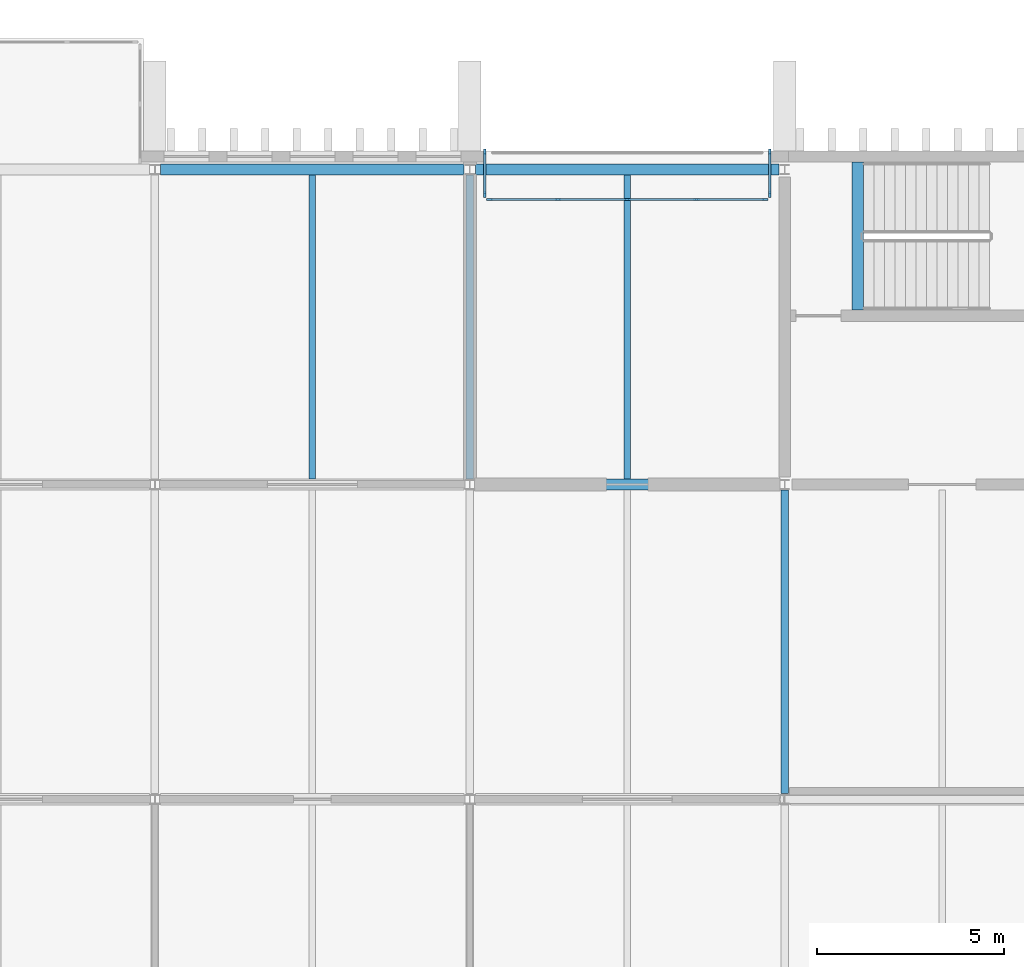
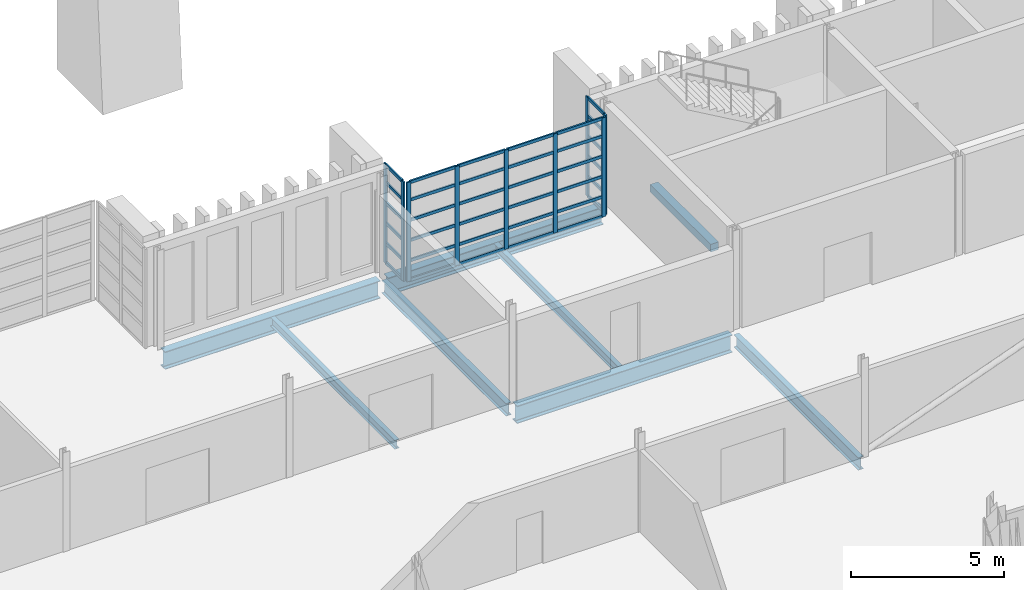
# One storey, part 27 of 88: 45 members, 8 beams, 3 elements without a shape of their own.
"""IFC4 building model written with IfcOpenShell, lengths in metres."""

from ifc_helpers import new_model, si_unit, direction, frame, origin, origin_2d, place, context, subcontext, project, spatial, rectangle, i_section, extrude, material, layer, layer_set, material_profile, profile_set, type_object, element, aggregate, save


model = new_model("IFC4")

# Units and contexts
model_context = context("Model", 3, precision=1e-05, world=origin(), true_north=direction((0.0, 1.0)))
body_context = subcontext(model_context, "Body", "Model", "MODEL_VIEW")
ifc_project = project(units=[si_unit("LENGTHUNIT", "METRE"), si_unit("AREAUNIT", "SQUARE_METRE"), si_unit("VOLUMEUNIT", "CUBIC_METRE"), si_unit("PLANEANGLEUNIT", "RADIAN"), si_unit("MASSUNIT", "GRAM", prefix="KILO")], contexts=[model_context])

# Site, building, storey
site_placement = place(None, origin())
site = spatial("IfcSite", under=ifc_project, at=site_placement, CompositionType="ELEMENT")
building_placement = place(site_placement, origin())
building = spatial("IfcBuilding", under=site, at=building_placement, Name="Cresset Court Congress Hotel", CompositionType="ELEMENT")
storey_placement = place(building_placement, frame((0.0, 0.0, 14.39990234375)))
storey = spatial("IfcBuildingStorey", under=building, at=storey_placement, Name="L03", CompositionType="ELEMENT", Elevation=14.39990234375)

# Curtain wall, members
ifc_material_1 = material(Name="Aluminium frame with double glazing", Category="aluminium")
ifc_layer = layer(ifc_material_1, 0.199951171875)
ifc_layer_set = layer_set([ifc_layer], Name="Glazed box curtain wall 1680 module")
curtain_wall_type = type_object("IfcCurtainWallType", Name="Glazed box curtain wall 1680 module", PredefinedType="NOTDEFINED", material=ifc_layer_set)
curtain_wall_1_placement = place(storey_placement, origin())
curtain_wall_1 = element("IfcCurtainWall", 1, at=curtain_wall_1_placement, inside=storey, type_object=curtain_wall_type, Name="Glazed box N0331 front", PredefinedType="NOTDEFINED")
ifc_material_2 = material(Name="Aluminium", Category="aluminium")
ifc_material_profile_1 = material_profile(ifc_material_2, rectangle(XDim=0.06005859375, YDim=0.159912109375, at=origin_2d()), Name="Box mullion 60x160")
ifc_profile_set_1 = profile_set([ifc_material_profile_1], Name="Aluminium")
member_type_1 = type_object("IfcMemberType", Name="Box mullion 60x160", PredefinedType="MULLION", material=ifc_profile_set_1)
member_1_placement = place(storey_placement, frame((92.929931640625, 24.39990234375, 0.0), z_axis=(0.0, 0.0, 1.0), x_axis=(0.0, 1.0, 0.0)))
member_1 = element("IfcMember", 2, at=member_1_placement, type_object=member_type_1, Name="B-X1 mullion 1", PredefinedType="MULLION", context=body_context, shape_type="SweptSolid", body=[
    extrude(rectangle(XDim=0.06005859375, YDim=0.159912109375, at=origin_2d()), origin(), (0.0, 0.0, 1.0), 3.9501953125),
])
member_2_placement = place(storey_placement, frame((94.75, 24.39990234375, 0.0), z_axis=(0.0, 0.0, 1.0), x_axis=(0.0, 1.0, 0.0)))
member_2 = element("IfcMember", 3, at=member_2_placement, type_object=member_type_1, Name="B-X1 mullion 2", PredefinedType="MULLION", context=body_context, shape_type="SweptSolid", body=[
    extrude(rectangle(XDim=0.06005859375, YDim=0.159912109375, at=origin_2d()), origin(), (0.0, 0.0, 1.0), 3.9501953125),
])
member_3_placement = place(storey_placement, frame((96.60009765625, 24.39990234375, 0.0), z_axis=(0.0, 0.0, 1.0), x_axis=(0.0, 1.0, 0.0)))
member_3 = element("IfcMember", 4, at=member_3_placement, type_object=member_type_1, Name="B-X1 mullion 3", PredefinedType="MULLION", context=body_context, shape_type="SweptSolid", body=[
    extrude(rectangle(XDim=0.06005859375, YDim=0.159912109375, at=origin_2d()), origin(), (0.0, 0.0, 1.0), 3.9501953125),
])
member_4_placement = place(storey_placement, frame((98.449951171875, 24.39990234375, 0.0), z_axis=(0.0, 0.0, 1.0), x_axis=(0.0, 1.0, 0.0)))
member_4 = element("IfcMember", 5, at=member_4_placement, type_object=member_type_1, Name="B-X1 mullion 4", PredefinedType="MULLION", context=body_context, shape_type="SweptSolid", body=[
    extrude(rectangle(XDim=0.06005859375, YDim=0.159912109375, at=origin_2d()), origin(), (0.0, 0.0, 1.0), 3.9501953125),
])
member_5_placement = place(storey_placement, frame((100.27001953125, 24.39990234375, 0.0), z_axis=(0.0, 0.0, 1.0), x_axis=(0.0, 1.0, 0.0)))
member_5 = element("IfcMember", 6, at=member_5_placement, type_object=member_type_1, Name="B-X1 mullion 5", PredefinedType="MULLION", context=body_context, shape_type="SweptSolid", body=[
    extrude(rectangle(XDim=0.06005859375, YDim=0.159912109375, at=origin_2d()), origin(), (0.0, 0.0, 1.0), 3.9501953125),
])

curtain_wall_2_placement = place(storey_placement, origin())
curtain_wall_2 = element("IfcCurtainWall", 7, at=curtain_wall_2_placement, inside=storey, type_object=curtain_wall_type, Name="Glazed box N0331 side", PredefinedType="NOTDEFINED")
member_6_placement = place(storey_placement, frame((92.800048828125, 25.669921875, 0.0), z_axis=(0.0, 0.0, 1.0), x_axis=(1.0, 0.0, 0.0)))
member_6 = element("IfcMember", 8, at=member_6_placement, type_object=member_type_1, Name="B-X1 mullion 1", PredefinedType="MULLION", context=body_context, shape_type="SweptSolid", body=[
    extrude(rectangle(XDim=0.06005859375, YDim=0.159912109375, at=origin_2d()), origin(), (0.0, 0.0, 1.0), 3.9501953125),
])
member_7_placement = place(storey_placement, frame((92.800048828125, 24.530029296875, 0.0), z_axis=(0.0, 0.0, 1.0), x_axis=(1.0, 0.0, 0.0)))
member_7 = element("IfcMember", 9, at=member_7_placement, type_object=member_type_1, Name="B-X1 mullion 2", PredefinedType="MULLION", context=body_context, shape_type="SweptSolid", body=[
    extrude(rectangle(XDim=0.06005859375, YDim=0.159912109375, at=origin_2d()), origin(), (0.0, 0.0, 1.0), 3.9501953125),
])

curtain_wall_3_placement = place(storey_placement, origin())
curtain_wall_3 = element("IfcCurtainWall", 10, at=curtain_wall_3_placement, inside=storey, type_object=curtain_wall_type, Name="Glazed box N0331 side", PredefinedType="NOTDEFINED")
member_8_placement = place(storey_placement, frame((100.39990234375, 25.669921875, 0.0), z_axis=(0.0, 0.0, 1.0), x_axis=(1.0, 0.0, 0.0)))
member_8 = element("IfcMember", 11, at=member_8_placement, type_object=member_type_1, Name="B-X1 mullion 1", PredefinedType="MULLION", context=body_context, shape_type="SweptSolid", body=[
    extrude(rectangle(XDim=0.06005859375, YDim=0.159912109375, at=origin_2d()), origin(), (0.0, 0.0, 1.0), 3.9501953125),
])
member_9_placement = place(storey_placement, frame((100.39990234375, 24.530029296875, 0.0), z_axis=(0.0, 0.0, 1.0), x_axis=(1.0, 0.0, 0.0)))
member_9 = element("IfcMember", 12, at=member_9_placement, type_object=member_type_1, Name="B-X1 mullion 2", PredefinedType="MULLION", context=body_context, shape_type="SweptSolid", body=[
    extrude(rectangle(XDim=0.06005859375, YDim=0.159912109375, at=origin_2d()), origin(), (0.0, 0.0, 1.0), 3.9501953125),
])

# Member
ifc_material_3 = material(Name="Aluminium", Category="aluminium")
ifc_material_profile_2 = material_profile(ifc_material_3, rectangle(XDim=0.06005859375, YDim=0.1201171875, at=origin_2d()), Name="Box transom 60x120")
ifc_profile_set_2 = profile_set([ifc_material_profile_2], Name="Aluminium")
member_type_2 = type_object("IfcMemberType", Name="Box transom 60x120", PredefinedType="USERDEFINED", material=ifc_profile_set_2)
member_10_placement = place(storey_placement, frame((92.9599609375, 24.39990234375, 0.030029296875), z_axis=(1.0, 0.0, 0.0), x_axis=(0.0, 1.0, 0.0)))
member_10 = element("IfcMember", 13, at=member_10_placement, type_object=member_type_2, Name="B-X1 transom 1.1", ObjectType="TRANSOM", PredefinedType="USERDEFINED", context=body_context, shape_type="SweptSolid", body=[
    extrude(rectangle(XDim=0.06005859375, YDim=0.1201171875, at=origin_2d()), origin(), (0.0, 0.0, 1.0), 1.760009765625),
])

member_11_placement = place(storey_placement, frame((92.9599609375, 24.39990234375, 0.80517578125), z_axis=(1.0, 0.0, 0.0), x_axis=(0.0, 1.0, 0.0)))
member_11 = element("IfcMember", 14, at=member_11_placement, type_object=member_type_2, Name="B-X1 transom 1.2", ObjectType="TRANSOM", PredefinedType="USERDEFINED", context=body_context, shape_type="SweptSolid", body=[
    extrude(rectangle(XDim=0.06005859375, YDim=0.1201171875, at=origin_2d()), origin(), (0.0, 0.0, 1.0), 1.760009765625),
])

member_12_placement = place(storey_placement, frame((92.9599609375, 24.39990234375, 1.610107421875), z_axis=(1.0, 0.0, 0.0), x_axis=(0.0, 1.0, 0.0)))
member_12 = element("IfcMember", 15, at=member_12_placement, type_object=member_type_2, Name="B-X1 transom 1.3", ObjectType="TRANSOM", PredefinedType="USERDEFINED", context=body_context, shape_type="SweptSolid", body=[
    extrude(rectangle(XDim=0.06005859375, YDim=0.1201171875, at=origin_2d()), origin(), (0.0, 0.0, 1.0), 1.760009765625),
])

member_13_placement = place(storey_placement, frame((92.9599609375, 24.39990234375, 2.4150390625), z_axis=(1.0, 0.0, 0.0), x_axis=(0.0, 1.0, 0.0)))
member_13 = element("IfcMember", 16, at=member_13_placement, type_object=member_type_2, Name="B-X1 transom 1.4", ObjectType="TRANSOM", PredefinedType="USERDEFINED", context=body_context, shape_type="SweptSolid", body=[
    extrude(rectangle(XDim=0.06005859375, YDim=0.1201171875, at=origin_2d()), origin(), (0.0, 0.0, 1.0), 1.760009765625),
])

member_14_placement = place(storey_placement, frame((92.9599609375, 24.39990234375, 3.22021484375), z_axis=(1.0, 0.0, 0.0), x_axis=(0.0, 1.0, 0.0)))
member_14 = element("IfcMember", 17, at=member_14_placement, type_object=member_type_2, Name="B-X1 transom 1.5", ObjectType="TRANSOM", PredefinedType="USERDEFINED", context=body_context, shape_type="SweptSolid", body=[
    extrude(rectangle(XDim=0.06005859375, YDim=0.1201171875, at=origin_2d()), origin(), (0.0, 0.0, 1.0), 1.760009765625),
])

member_15_placement = place(storey_placement, frame((92.9599609375, 24.39990234375, 3.920166015625), z_axis=(1.0, 0.0, 0.0), x_axis=(0.0, 1.0, 0.0)))
member_15 = element("IfcMember", 18, at=member_15_placement, type_object=member_type_2, Name="B-X1 transom 1.6", ObjectType="TRANSOM", PredefinedType="USERDEFINED", context=body_context, shape_type="SweptSolid", body=[
    extrude(rectangle(XDim=0.06005859375, YDim=0.1201171875, at=origin_2d()), origin(), (0.0, 0.0, 1.0), 1.760009765625),
])

member_16_placement = place(storey_placement, frame((94.780029296875, 24.39990234375, 0.030029296875), z_axis=(1.0, 0.0, 0.0), x_axis=(0.0, 1.0, 0.0)))
member_16 = element("IfcMember", 19, at=member_16_placement, type_object=member_type_2, Name="B-X1 transom 2.1", ObjectType="TRANSOM", PredefinedType="USERDEFINED", context=body_context, shape_type="SweptSolid", body=[
    extrude(rectangle(XDim=0.06005859375, YDim=0.1201171875, at=origin_2d()), origin(), (0.0, 0.0, 1.0), 1.7900390625),
])

member_17_placement = place(storey_placement, frame((94.780029296875, 24.39990234375, 0.80517578125), z_axis=(1.0, 0.0, 0.0), x_axis=(0.0, 1.0, 0.0)))
member_17 = element("IfcMember", 20, at=member_17_placement, type_object=member_type_2, Name="B-X1 transom 2.2", ObjectType="TRANSOM", PredefinedType="USERDEFINED", context=body_context, shape_type="SweptSolid", body=[
    extrude(rectangle(XDim=0.06005859375, YDim=0.1201171875, at=origin_2d()), origin(), (0.0, 0.0, 1.0), 1.7900390625),
])

member_18_placement = place(storey_placement, frame((94.780029296875, 24.39990234375, 1.610107421875), z_axis=(1.0, 0.0, 0.0), x_axis=(0.0, 1.0, 0.0)))
member_18 = element("IfcMember", 21, at=member_18_placement, type_object=member_type_2, Name="B-X1 transom 2.3", ObjectType="TRANSOM", PredefinedType="USERDEFINED", context=body_context, shape_type="SweptSolid", body=[
    extrude(rectangle(XDim=0.06005859375, YDim=0.1201171875, at=origin_2d()), origin(), (0.0, 0.0, 1.0), 1.7900390625),
])

member_19_placement = place(storey_placement, frame((94.780029296875, 24.39990234375, 2.4150390625), z_axis=(1.0, 0.0, 0.0), x_axis=(0.0, 1.0, 0.0)))
member_19 = element("IfcMember", 22, at=member_19_placement, type_object=member_type_2, Name="B-X1 transom 2.4", ObjectType="TRANSOM", PredefinedType="USERDEFINED", context=body_context, shape_type="SweptSolid", body=[
    extrude(rectangle(XDim=0.06005859375, YDim=0.1201171875, at=origin_2d()), origin(), (0.0, 0.0, 1.0), 1.7900390625),
])

member_20_placement = place(storey_placement, frame((94.780029296875, 24.39990234375, 3.22021484375), z_axis=(1.0, 0.0, 0.0), x_axis=(0.0, 1.0, 0.0)))
member_20 = element("IfcMember", 23, at=member_20_placement, type_object=member_type_2, Name="B-X1 transom 2.5", ObjectType="TRANSOM", PredefinedType="USERDEFINED", context=body_context, shape_type="SweptSolid", body=[
    extrude(rectangle(XDim=0.06005859375, YDim=0.1201171875, at=origin_2d()), origin(), (0.0, 0.0, 1.0), 1.7900390625),
])

member_21_placement = place(storey_placement, frame((94.780029296875, 24.39990234375, 3.920166015625), z_axis=(1.0, 0.0, 0.0), x_axis=(0.0, 1.0, 0.0)))
member_21 = element("IfcMember", 24, at=member_21_placement, type_object=member_type_2, Name="B-X1 transom 2.6", ObjectType="TRANSOM", PredefinedType="USERDEFINED", context=body_context, shape_type="SweptSolid", body=[
    extrude(rectangle(XDim=0.06005859375, YDim=0.1201171875, at=origin_2d()), origin(), (0.0, 0.0, 1.0), 1.7900390625),
])

member_22_placement = place(storey_placement, frame((96.6298828125, 24.39990234375, 0.030029296875), z_axis=(1.0, 0.0, 0.0), x_axis=(0.0, 1.0, 0.0)))
member_22 = element("IfcMember", 25, at=member_22_placement, type_object=member_type_2, Name="B-X1 transom 3.1", ObjectType="TRANSOM", PredefinedType="USERDEFINED", context=body_context, shape_type="SweptSolid", body=[
    extrude(rectangle(XDim=0.06005859375, YDim=0.1201171875, at=origin_2d()), origin(), (0.0, 0.0, 1.0), 1.7900390625),
])

member_23_placement = place(storey_placement, frame((96.6298828125, 24.39990234375, 0.80517578125), z_axis=(1.0, 0.0, 0.0), x_axis=(0.0, 1.0, 0.0)))
member_23 = element("IfcMember", 26, at=member_23_placement, type_object=member_type_2, Name="B-X1 transom 3.2", ObjectType="TRANSOM", PredefinedType="USERDEFINED", context=body_context, shape_type="SweptSolid", body=[
    extrude(rectangle(XDim=0.06005859375, YDim=0.1201171875, at=origin_2d()), origin(), (0.0, 0.0, 1.0), 1.7900390625),
])

member_24_placement = place(storey_placement, frame((96.6298828125, 24.39990234375, 1.610107421875), z_axis=(1.0, 0.0, 0.0), x_axis=(0.0, 1.0, 0.0)))
member_24 = element("IfcMember", 27, at=member_24_placement, type_object=member_type_2, Name="B-X1 transom 3.3", ObjectType="TRANSOM", PredefinedType="USERDEFINED", context=body_context, shape_type="SweptSolid", body=[
    extrude(rectangle(XDim=0.06005859375, YDim=0.1201171875, at=origin_2d()), origin(), (0.0, 0.0, 1.0), 1.7900390625),
])

member_25_placement = place(storey_placement, frame((96.6298828125, 24.39990234375, 2.4150390625), z_axis=(1.0, 0.0, 0.0), x_axis=(0.0, 1.0, 0.0)))
member_25 = element("IfcMember", 28, at=member_25_placement, type_object=member_type_2, Name="B-X1 transom 3.4", ObjectType="TRANSOM", PredefinedType="USERDEFINED", context=body_context, shape_type="SweptSolid", body=[
    extrude(rectangle(XDim=0.06005859375, YDim=0.1201171875, at=origin_2d()), origin(), (0.0, 0.0, 1.0), 1.7900390625),
])

member_26_placement = place(storey_placement, frame((96.6298828125, 24.39990234375, 3.22021484375), z_axis=(1.0, 0.0, 0.0), x_axis=(0.0, 1.0, 0.0)))
member_26 = element("IfcMember", 29, at=member_26_placement, type_object=member_type_2, Name="B-X1 transom 3.5", ObjectType="TRANSOM", PredefinedType="USERDEFINED", context=body_context, shape_type="SweptSolid", body=[
    extrude(rectangle(XDim=0.06005859375, YDim=0.1201171875, at=origin_2d()), origin(), (0.0, 0.0, 1.0), 1.7900390625),
])

member_27_placement = place(storey_placement, frame((96.6298828125, 24.39990234375, 3.920166015625), z_axis=(1.0, 0.0, 0.0), x_axis=(0.0, 1.0, 0.0)))
member_27 = element("IfcMember", 30, at=member_27_placement, type_object=member_type_2, Name="B-X1 transom 3.6", ObjectType="TRANSOM", PredefinedType="USERDEFINED", context=body_context, shape_type="SweptSolid", body=[
    extrude(rectangle(XDim=0.06005859375, YDim=0.1201171875, at=origin_2d()), origin(), (0.0, 0.0, 1.0), 1.7900390625),
])

member_28_placement = place(storey_placement, frame((98.47998046875, 24.39990234375, 0.030029296875), z_axis=(1.0, 0.0, 0.0), x_axis=(0.0, 1.0, 0.0)))
member_28 = element("IfcMember", 31, at=member_28_placement, type_object=member_type_2, Name="B-X1 transom 4.1", ObjectType="TRANSOM", PredefinedType="USERDEFINED", context=body_context, shape_type="SweptSolid", body=[
    extrude(rectangle(XDim=0.06005859375, YDim=0.1201171875, at=origin_2d()), origin(), (0.0, 0.0, 1.0), 1.760009765625),
])

member_29_placement = place(storey_placement, frame((98.47998046875, 24.39990234375, 0.80517578125), z_axis=(1.0, 0.0, 0.0), x_axis=(0.0, 1.0, 0.0)))
member_29 = element("IfcMember", 32, at=member_29_placement, type_object=member_type_2, Name="B-X1 transom 4.2", ObjectType="TRANSOM", PredefinedType="USERDEFINED", context=body_context, shape_type="SweptSolid", body=[
    extrude(rectangle(XDim=0.06005859375, YDim=0.1201171875, at=origin_2d()), origin(), (0.0, 0.0, 1.0), 1.760009765625),
])

member_30_placement = place(storey_placement, frame((98.47998046875, 24.39990234375, 1.610107421875), z_axis=(1.0, 0.0, 0.0), x_axis=(0.0, 1.0, 0.0)))
member_30 = element("IfcMember", 33, at=member_30_placement, type_object=member_type_2, Name="B-X1 transom 4.3", ObjectType="TRANSOM", PredefinedType="USERDEFINED", context=body_context, shape_type="SweptSolid", body=[
    extrude(rectangle(XDim=0.06005859375, YDim=0.1201171875, at=origin_2d()), origin(), (0.0, 0.0, 1.0), 1.760009765625),
])

member_31_placement = place(storey_placement, frame((98.47998046875, 24.39990234375, 2.4150390625), z_axis=(1.0, 0.0, 0.0), x_axis=(0.0, 1.0, 0.0)))
member_31 = element("IfcMember", 34, at=member_31_placement, type_object=member_type_2, Name="B-X1 transom 4.4", ObjectType="TRANSOM", PredefinedType="USERDEFINED", context=body_context, shape_type="SweptSolid", body=[
    extrude(rectangle(XDim=0.06005859375, YDim=0.1201171875, at=origin_2d()), origin(), (0.0, 0.0, 1.0), 1.760009765625),
])

member_32_placement = place(storey_placement, frame((98.47998046875, 24.39990234375, 3.22021484375), z_axis=(1.0, 0.0, 0.0), x_axis=(0.0, 1.0, 0.0)))
member_32 = element("IfcMember", 35, at=member_32_placement, type_object=member_type_2, Name="B-X1 transom 4.5", ObjectType="TRANSOM", PredefinedType="USERDEFINED", context=body_context, shape_type="SweptSolid", body=[
    extrude(rectangle(XDim=0.06005859375, YDim=0.1201171875, at=origin_2d()), origin(), (0.0, 0.0, 1.0), 1.760009765625),
])

member_33_placement = place(storey_placement, frame((98.47998046875, 24.39990234375, 3.920166015625), z_axis=(1.0, 0.0, 0.0), x_axis=(0.0, 1.0, 0.0)))
member_33 = element("IfcMember", 36, at=member_33_placement, type_object=member_type_2, Name="B-X1 transom 4.6", ObjectType="TRANSOM", PredefinedType="USERDEFINED", context=body_context, shape_type="SweptSolid", body=[
    extrude(rectangle(XDim=0.06005859375, YDim=0.1201171875, at=origin_2d()), origin(), (0.0, 0.0, 1.0), 1.760009765625),
])

aggregate(curtain_wall_1, [member_1, member_2, member_3, member_4, member_5, member_10, member_11, member_12, member_13, member_14, member_15, member_16, member_17, member_18, member_19, member_20, member_21, member_22, member_23, member_24, member_25, member_26, member_27, member_28, member_29, member_30, member_31, member_32, member_33])

member_34_placement = place(storey_placement, frame((92.800048828125, 25.639892578125, 0.030029296875), z_axis=(0.0, -1.0, 0.0), x_axis=(1.0, 0.0, 0.0)))
member_34 = element("IfcMember", 37, at=member_34_placement, type_object=member_type_2, Name="B-X1 transom 1.1", ObjectType="TRANSOM", PredefinedType="USERDEFINED", context=body_context, shape_type="SweptSolid", body=[
    extrude(rectangle(XDim=0.06005859375, YDim=0.1201171875, at=origin_2d()), origin(), (0.0, 0.0, 1.0), 1.079833984375),
])

member_35_placement = place(storey_placement, frame((92.800048828125, 25.639892578125, 0.80517578125), z_axis=(0.0, -1.0, 0.0), x_axis=(1.0, 0.0, 0.0)))
member_35 = element("IfcMember", 38, at=member_35_placement, type_object=member_type_2, Name="B-X1 transom 1.2", ObjectType="TRANSOM", PredefinedType="USERDEFINED", context=body_context, shape_type="SweptSolid", body=[
    extrude(rectangle(XDim=0.06005859375, YDim=0.1201171875, at=origin_2d()), origin(), (0.0, 0.0, 1.0), 1.079833984375),
])

member_36_placement = place(storey_placement, frame((92.800048828125, 25.639892578125, 1.610107421875), z_axis=(0.0, -1.0, 0.0), x_axis=(1.0, 0.0, 0.0)))
member_36 = element("IfcMember", 39, at=member_36_placement, type_object=member_type_2, Name="B-X1 transom 1.3", ObjectType="TRANSOM", PredefinedType="USERDEFINED", context=body_context, shape_type="SweptSolid", body=[
    extrude(rectangle(XDim=0.06005859375, YDim=0.1201171875, at=origin_2d()), origin(), (0.0, 0.0, 1.0), 1.079833984375),
])

member_37_placement = place(storey_placement, frame((92.800048828125, 25.639892578125, 2.4150390625), z_axis=(0.0, -1.0, 0.0), x_axis=(1.0, 0.0, 0.0)))
member_37 = element("IfcMember", 40, at=member_37_placement, type_object=member_type_2, Name="B-X1 transom 1.4", ObjectType="TRANSOM", PredefinedType="USERDEFINED", context=body_context, shape_type="SweptSolid", body=[
    extrude(rectangle(XDim=0.06005859375, YDim=0.1201171875, at=origin_2d()), origin(), (0.0, 0.0, 1.0), 1.079833984375),
])

member_38_placement = place(storey_placement, frame((92.800048828125, 25.639892578125, 3.22021484375), z_axis=(0.0, -1.0, 0.0), x_axis=(1.0, 0.0, 0.0)))
member_38 = element("IfcMember", 41, at=member_38_placement, type_object=member_type_2, Name="B-X1 transom 1.5", ObjectType="TRANSOM", PredefinedType="USERDEFINED", context=body_context, shape_type="SweptSolid", body=[
    extrude(rectangle(XDim=0.06005859375, YDim=0.1201171875, at=origin_2d()), origin(), (0.0, 0.0, 1.0), 1.079833984375),
])

member_39_placement = place(storey_placement, frame((92.800048828125, 25.639892578125, 3.920166015625), z_axis=(0.0, -1.0, 0.0), x_axis=(1.0, 0.0, 0.0)))
member_39 = element("IfcMember", 42, at=member_39_placement, type_object=member_type_2, Name="B-X1 transom 1.6", ObjectType="TRANSOM", PredefinedType="USERDEFINED", context=body_context, shape_type="SweptSolid", body=[
    extrude(rectangle(XDim=0.06005859375, YDim=0.1201171875, at=origin_2d()), origin(), (0.0, 0.0, 1.0), 1.079833984375),
])

aggregate(curtain_wall_2, [member_6, member_7, member_34, member_35, member_36, member_37, member_38, member_39])

member_40_placement = place(storey_placement, frame((100.39990234375, 25.639892578125, 0.030029296875), z_axis=(0.0, -1.0, 0.0), x_axis=(1.0, 0.0, 0.0)))
member_40 = element("IfcMember", 43, at=member_40_placement, type_object=member_type_2, Name="B-X1 transom 1.1", ObjectType="TRANSOM", PredefinedType="USERDEFINED", context=body_context, shape_type="SweptSolid", body=[
    extrude(rectangle(XDim=0.06005859375, YDim=0.1201171875, at=origin_2d()), origin(), (0.0, 0.0, 1.0), 1.079833984375),
])

member_41_placement = place(storey_placement, frame((100.39990234375, 25.639892578125, 0.80517578125), z_axis=(0.0, -1.0, 0.0), x_axis=(1.0, 0.0, 0.0)))
member_41 = element("IfcMember", 44, at=member_41_placement, type_object=member_type_2, Name="B-X1 transom 1.2", ObjectType="TRANSOM", PredefinedType="USERDEFINED", context=body_context, shape_type="SweptSolid", body=[
    extrude(rectangle(XDim=0.06005859375, YDim=0.1201171875, at=origin_2d()), origin(), (0.0, 0.0, 1.0), 1.079833984375),
])

member_42_placement = place(storey_placement, frame((100.39990234375, 25.639892578125, 1.610107421875), z_axis=(0.0, -1.0, 0.0), x_axis=(1.0, 0.0, 0.0)))
member_42 = element("IfcMember", 45, at=member_42_placement, type_object=member_type_2, Name="B-X1 transom 1.3", ObjectType="TRANSOM", PredefinedType="USERDEFINED", context=body_context, shape_type="SweptSolid", body=[
    extrude(rectangle(XDim=0.06005859375, YDim=0.1201171875, at=origin_2d()), origin(), (0.0, 0.0, 1.0), 1.079833984375),
])

member_43_placement = place(storey_placement, frame((100.39990234375, 25.639892578125, 2.4150390625), z_axis=(0.0, -1.0, 0.0), x_axis=(1.0, 0.0, 0.0)))
member_43 = element("IfcMember", 46, at=member_43_placement, type_object=member_type_2, Name="B-X1 transom 1.4", ObjectType="TRANSOM", PredefinedType="USERDEFINED", context=body_context, shape_type="SweptSolid", body=[
    extrude(rectangle(XDim=0.06005859375, YDim=0.1201171875, at=origin_2d()), origin(), (0.0, 0.0, 1.0), 1.079833984375),
])

member_44_placement = place(storey_placement, frame((100.39990234375, 25.639892578125, 3.22021484375), z_axis=(0.0, -1.0, 0.0), x_axis=(1.0, 0.0, 0.0)))
member_44 = element("IfcMember", 47, at=member_44_placement, type_object=member_type_2, Name="B-X1 transom 1.5", ObjectType="TRANSOM", PredefinedType="USERDEFINED", context=body_context, shape_type="SweptSolid", body=[
    extrude(rectangle(XDim=0.06005859375, YDim=0.1201171875, at=origin_2d()), origin(), (0.0, 0.0, 1.0), 1.079833984375),
])

member_45_placement = place(storey_placement, frame((100.39990234375, 25.639892578125, 3.920166015625), z_axis=(0.0, -1.0, 0.0), x_axis=(1.0, 0.0, 0.0)))
member_45 = element("IfcMember", 48, at=member_45_placement, type_object=member_type_2, Name="B-X1 transom 1.6", ObjectType="TRANSOM", PredefinedType="USERDEFINED", context=body_context, shape_type="SweptSolid", body=[
    extrude(rectangle(XDim=0.06005859375, YDim=0.1201171875, at=origin_2d()), origin(), (0.0, 0.0, 1.0), 1.079833984375),
])

aggregate(curtain_wall_3, [member_8, member_9, member_40, member_41, member_42, member_43, member_44, member_45])

# Beams
ifc_material_4 = material(Name="Concrete C40", Category="concrete")
ifc_material_profile_3 = material_profile(ifc_material_4, rectangle(XDim=0.300048828125, YDim=0.300048828125, at=origin_2d()), Name="RC300x300")
ifc_profile_set_3 = profile_set([ifc_material_profile_3], Name="Concrete C40")
beam_type_1 = type_object("IfcBeamType", Name="Stair trimmer beam RC300x300", PredefinedType="BEAM", material=ifc_profile_set_3)
beam_1_placement = place(storey_placement, frame((102.75, 21.449951171875, -0.2998046875), z_axis=(0.0, 1.0, 0.0), x_axis=(-1.0, 0.0, 0.0)))
element("IfcBeam", 49, at=beam_1_placement, inside=storey, type_object=beam_type_1, Name="Trimmer beam ST-B4 L03", PredefinedType="BEAM", context=body_context, shape_type="SweptSolid", body=[
    extrude(rectangle(XDim=0.300048828125, YDim=0.300048828125, at=origin_2d()), origin(), (0.0, 0.0, 1.0), 3.949951171875),
])
ifc_material_5 = material(Name="Structural steel Q355B", Category="steel")
ifc_material_profile_4 = material_profile(ifc_material_5, i_section(OverallWidth=0.199951171875, OverallDepth=0.5, WebThickness=0.010009765625, FlangeThickness=0.01611328125, FilletRadius=0.012939453125, at=origin_2d()), Name="HN500x200x10x16")
ifc_profile_set_4 = profile_set([ifc_material_profile_4], Name="Structural steel Q355B")
beam_type_2 = type_object("IfcBeamType", Name="Steel beam HN500x200x10x16", PredefinedType="BEAM", material=ifc_profile_set_4)
beam_2_placement = place(storey_placement, frame((92.39990234375, 16.949951171875, -0.39990234375), z_axis=(0.0, 1.0, 0.0), x_axis=(-1.0, 0.0, 0.0)))
element("IfcBeam", 50, at=beam_2_placement, inside=storey, type_object=beam_type_2, Name="B.by.L03.12C", PredefinedType="BEAM", context=body_context, shape_type="SweptSolid", body=[
    extrude(i_section(OverallWidth=0.199951171875, OverallDepth=0.5, WebThickness=0.010009765625, FlangeThickness=0.01611328125, FilletRadius=0.012939453125, at=origin_2d()), origin(), (0.0, 0.0, 1.0), 8.10009765625),
])
beam_3_placement = place(storey_placement, frame((100.800048828125, 8.550048828125, -0.39990234375), z_axis=(0.0, 1.0, 0.0), x_axis=(-1.0, 0.0, 0.0)))
element("IfcBeam", 51, at=beam_3_placement, inside=storey, type_object=beam_type_2, Name="B.by.L03.13B", PredefinedType="BEAM", context=body_context, shape_type="SweptSolid", body=[
    extrude(i_section(OverallWidth=0.199951171875, OverallDepth=0.5, WebThickness=0.010009765625, FlangeThickness=0.01611328125, FilletRadius=0.012939453125, at=origin_2d()), origin(), (0.0, 0.0, 1.0), 8.099853515625),
])
ifc_material_6 = material(Name="Structural steel Q355B", Category="steel")
ifc_material_profile_5 = material_profile(ifc_material_6, i_section(OverallWidth=0.300048828125, OverallDepth=0.699951171875, WebThickness=0.012939453125, FlangeThickness=0.02392578125, FilletRadius=0.01806640625, at=origin_2d()), Name="HN700x300x13x24")
ifc_profile_set_5 = profile_set([ifc_material_profile_5], Name="Structural steel Q355B")
beam_type_3 = type_object("IfcBeamType", Name="Steel beam HN700x300x13x24", PredefinedType="BEAM", material=ifc_profile_set_5)
beam_4_placement = place(storey_placement, frame((92.550048828125, 16.800048828125, -0.5), z_axis=(1.0, 0.0, 0.0), x_axis=(0.0, 1.0, 0.0)))
element("IfcBeam", 52, at=beam_4_placement, inside=storey, type_object=beam_type_3, Name="B.bx.L03.C12", PredefinedType="BEAM", context=body_context, shape_type="SweptSolid", body=[
    extrude(i_section(OverallWidth=0.300048828125, OverallDepth=0.699951171875, WebThickness=0.012939453125, FlangeThickness=0.02392578125, FilletRadius=0.01806640625, at=origin_2d()), origin(), (0.0, 0.0, 1.0), 8.099853515625),
])
beam_5_placement = place(storey_placement, frame((84.14990234375, 25.199951171875, -0.5), z_axis=(1.0, 0.0, 0.0), x_axis=(0.0, 1.0, 0.0)))
element("IfcBeam", 53, at=beam_5_placement, inside=storey, type_object=beam_type_3, Name="B.bx.L03.D11", PredefinedType="BEAM", context=body_context, shape_type="SweptSolid", body=[
    extrude(i_section(OverallWidth=0.300048828125, OverallDepth=0.699951171875, WebThickness=0.012939453125, FlangeThickness=0.02392578125, FilletRadius=0.01806640625, at=origin_2d()), origin(), (0.0, 0.0, 1.0), 8.10009765625),
])
beam_6_placement = place(storey_placement, frame((92.550048828125, 25.199951171875, -0.5), z_axis=(1.0, 0.0, 0.0), x_axis=(0.0, 1.0, 0.0)))
element("IfcBeam", 54, at=beam_6_placement, inside=storey, type_object=beam_type_3, Name="B.bx.L03.D12", PredefinedType="BEAM", context=body_context, shape_type="SweptSolid", body=[
    extrude(i_section(OverallWidth=0.300048828125, OverallDepth=0.699951171875, WebThickness=0.012939453125, FlangeThickness=0.02392578125, FilletRadius=0.01806640625, at=origin_2d()), origin(), (0.0, 0.0, 1.0), 8.099853515625),
])
ifc_material_7 = material(Name="Structural steel Q355B", Category="steel")
ifc_material_profile_6 = material_profile(ifc_material_7, i_section(OverallWidth=0.175048828125, OverallDepth=0.35009765625, WebThickness=0.007080078125, FlangeThickness=0.010986328125, FilletRadius=0.012939453125, at=origin_2d()), Name="HN350x175x7x11")
ifc_profile_set_6 = profile_set([ifc_material_profile_6], Name="Structural steel Q355B")
beam_type_4 = type_object("IfcBeamType", Name="Steel joist HN350x175x7x11", PredefinedType="JOIST", material=ifc_profile_set_6)
for number, where, z_axis, x_axis, name in (
    (55, (88.199951171875, 16.949951171875, -0.324951171875), (0.0, 1.0, 0.0), (-1.0, 0.0, 0.0), "B.bj.L03.11C"),
    (56, (96.60009765625, 16.949951171875, -0.324951171875), (0.0, 1.0, 0.0), (-1.0, 0.0, 0.0), "B.bj.L03.12C"),
):
    element("IfcBeam", number, at=place(storey_placement, frame(where, z_axis=z_axis, x_axis=x_axis)), inside=storey, type_object=beam_type_4, Name=name, PredefinedType="JOIST", context=body_context, shape_type="SweptSolid", body=[
        extrude(i_section(OverallWidth=0.175048828125, OverallDepth=0.35009765625, WebThickness=0.007080078125, FlangeThickness=0.010986328125, FilletRadius=0.012939453125, at=origin_2d()), origin(), (0.0, 0.0, 1.0), 8.10009765625),
    ])

save(model, "model.ifc")
